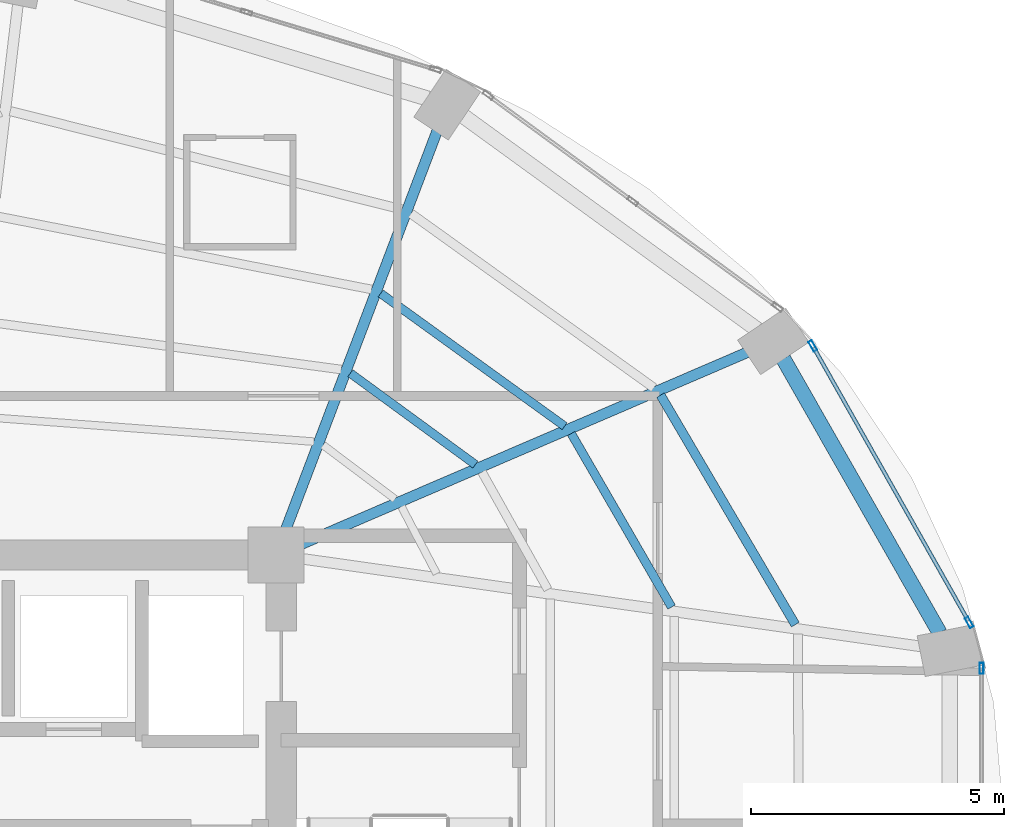
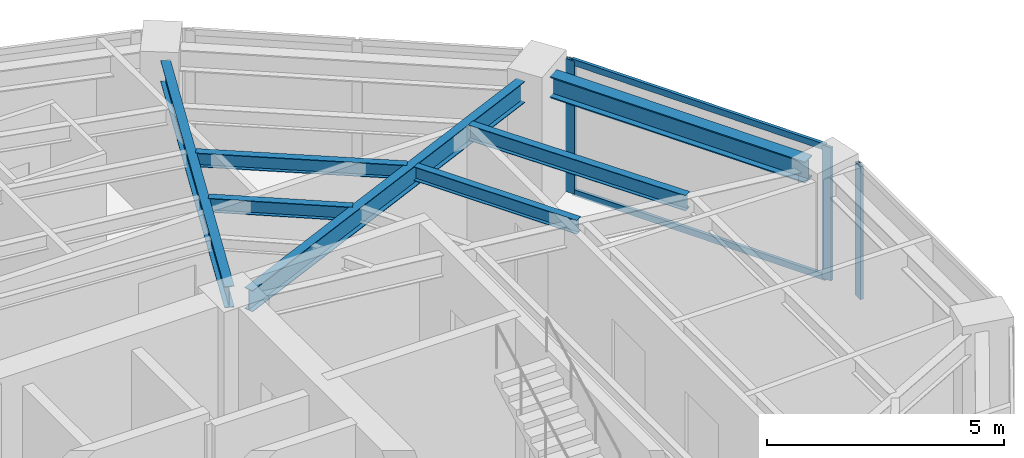
# One storey, part 11 of 20: 7 beams, 5 members, 2 elements without a shape of their own.
"""IFC4 building model written with IfcOpenShell, lengths in metres."""

from ifc_helpers import new_model, si_unit, direction, frame, origin, origin_2d, place, context, subcontext, project, spatial, hollow_rectangle, i_section, extrude, material, layer, layer_set, material_profile, profile_set, type_object, element, aggregate, save


model = new_model("IFC4")

# Units and contexts
model_context = context("Model", 3, precision=1e-05, world=origin(), true_north=direction((0.0, 1.0)))
body_context = subcontext(model_context, "Body", "Model", "MODEL_VIEW")
ifc_project = project(units=[si_unit("LENGTHUNIT", "METRE"), si_unit("AREAUNIT", "SQUARE_METRE"), si_unit("VOLUMEUNIT", "CUBIC_METRE"), si_unit("PLANEANGLEUNIT", "RADIAN"), si_unit("MASSUNIT", "GRAM", prefix="KILO")], contexts=[model_context])

# Site, building, storey
site_placement = place(None, origin())
site = spatial("IfcSite", under=ifc_project, at=site_placement, CompositionType="ELEMENT")
building_placement = place(site_placement, origin())
building = spatial("IfcBuilding", under=site, at=building_placement, Name="Lazwardi Medical Tower", CompositionType="ELEMENT")
storey_placement = place(building_placement, frame((0.0, 0.0, 138.2880859375)))
storey = spatial("IfcBuildingStorey", under=building, at=storey_placement, Name="L35", CompositionType="ELEMENT", Elevation=138.2880859375)

# Beams
ifc_material_1 = material(Name="Steel S355", Category="steel")
ifc_material_profile_1 = material_profile(ifc_material_1, i_section(OverallWidth=0.300048828125, OverallDepth=0.550048828125, WebThickness=0.014892578125, FlangeThickness=0.029052734375, at=origin_2d()), Name="HEB 550")
ifc_profile_set_1 = profile_set([ifc_material_profile_1], Name="Steel S355")
beam_type_1 = type_object("IfcBeamType", Name="BM-RB-Z3", PredefinedType="BEAM", material=ifc_profile_set_1)
beam_1_placement = place(storey_placement, frame((58.727783203125, 34.05908203125, 3.15283203125), z_axis=(-0.495460926326, 0.868630226554, 0.0), x_axis=(-0.868630226554, -0.495460926326, 0.0)))
element("IfcBeam", 1, at=beam_1_placement, inside=storey, type_object=beam_type_1, Name="Ring beam RB-04 B05 L35", PredefinedType="BEAM", context=body_context, shape_type="SweptSolid", body=[
    extrude(i_section(OverallWidth=0.300048828125, OverallDepth=0.550048828125, WebThickness=0.014892578125, FlangeThickness=0.029052734375, at=origin_2d()), origin(), (0.0, 0.0, 1.0), 6.24462890625),
])
ifc_material_profile_2 = material_profile(ifc_material_1, i_section(OverallWidth=0.2099609375, OverallDepth=0.550048828125, WebThickness=0.010986328125, FlangeThickness=0.01708984375, at=origin_2d()), Name="IPE 550")
ifc_profile_set_2 = profile_set([ifc_material_profile_2], Name="Steel S355")
beam_type_2 = type_object("IfcBeamType", Name="BM-RG-W2", PredefinedType="BEAM", material=ifc_profile_set_2)
beam_2_placement = place(storey_placement, frame((54.921142578125, 39.609619140625, 3.15283203125), z_axis=(-0.918608156288, -0.395169653695, 0.0), x_axis=(0.395169653695, -0.918608156288, 0.0)))
element("IfcBeam", 2, at=beam_2_placement, inside=storey, type_object=beam_type_2, Name="Radial girder RG-03 R06 L35", PredefinedType="BEAM", context=body_context, shape_type="SweptSolid", body=[
    extrude(i_section(OverallWidth=0.2099609375, OverallDepth=0.550048828125, WebThickness=0.010986328125, FlangeThickness=0.01708984375, at=origin_2d()), origin(), (0.0, 0.0, 1.0), 9.61181640625),
])
beam_3_placement = place(storey_placement, frame((48.78759765625, 43.99072265625, 3.15283203125), z_axis=(-0.355126771712, -0.934818151307, 0.0), x_axis=(0.934818151307, -0.355126771712, 0.0)))
element("IfcBeam", 3, at=beam_3_placement, inside=storey, type_object=beam_type_2, Name="Radial girder RG-03 R07 L35", PredefinedType="BEAM", context=body_context, shape_type="SweptSolid", body=[
    extrude(i_section(OverallWidth=0.2099609375, OverallDepth=0.550048828125, WebThickness=0.010986328125, FlangeThickness=0.01708984375, at=origin_2d()), origin(), (0.0, 0.0, 1.0), 8.44091796875),
])
ifc_material_profile_3 = material_profile(ifc_material_1, i_section(OverallWidth=0.179931640625, OverallDepth=0.39990234375, WebThickness=0.008544921875, FlangeThickness=0.013427734375, at=origin_2d()), Name="IPE 400")
ifc_profile_set_3 = profile_set([ifc_material_profile_3], Name="Steel S355")
beam_type_3 = type_object("IfcBeamType", Name="BM-SJ-01", PredefinedType="JOIST", material=ifc_profile_set_3)
beam_4_placement = place(storey_placement, frame((55.872314453125, 34.223388671875, 3.22802734375), z_axis=(-0.506420212881, 0.862286824662, 0.0), x_axis=(-0.862286824662, -0.506420212881, 0.0)))
element("IfcBeam", 4, at=beam_4_placement, inside=storey, type_object=beam_type_3, Name="Secondary joist SJ-01 R1 B05 L35", PredefinedType="JOIST", context=body_context, shape_type="SweptSolid", body=[
    extrude(i_section(OverallWidth=0.179931640625, OverallDepth=0.39990234375, WebThickness=0.008544921875, FlangeThickness=0.013427734375, at=origin_2d()), origin(), (0.0, 0.0, 1.0), 5.265380859375),
])
ifc_material_profile_4 = material_profile(ifc_material_1, i_section(OverallWidth=0.169921875, OverallDepth=0.360107421875, WebThickness=0.008056640625, FlangeThickness=0.0126953125, at=origin_2d()), Name="IPE 360")
ifc_profile_set_4 = profile_set([ifc_material_profile_4], Name="Steel S355")
beam_type_4 = type_object("IfcBeamType", Name="BM-SJ-02", PredefinedType="JOIST", material=ifc_profile_set_4)
beam_5_placement = place(storey_placement, frame((53.4248046875, 34.57080078125, 3.247802734375), z_axis=(-0.500640648605, 0.865655209055, 0.0), x_axis=(-0.865655209055, -0.500640648605, 0.0)))
element("IfcBeam", 5, at=beam_5_placement, inside=storey, type_object=beam_type_4, Name="Secondary joist SJ-02 R2 B05 L35", PredefinedType="JOIST", context=body_context, shape_type="SweptSolid", body=[
    extrude(i_section(OverallWidth=0.169921875, OverallDepth=0.360107421875, WebThickness=0.008056640625, FlangeThickness=0.0126953125, at=origin_2d()), origin(), (0.0, 0.0, 1.0), 3.965576171875),
])
beam_6_placement = place(storey_placement, frame((51.30810546875, 38.148681640625, 3.247802734375), z_axis=(-0.810738039179, 0.585409114917, 0.0), x_axis=(-0.585409114917, -0.810738039179, 0.0)))
element("IfcBeam", 6, at=beam_6_placement, inside=storey, type_object=beam_type_4, Name="Secondary joist SJ-02 R2 B06 L35", PredefinedType="JOIST", context=body_context, shape_type="SweptSolid", body=[
    extrude(i_section(OverallWidth=0.169921875, OverallDepth=0.360107421875, WebThickness=0.008056640625, FlangeThickness=0.0126953125, at=origin_2d()), origin(), (0.0, 0.0, 1.0), 4.48779296875),
])
beam_7_placement = place(storey_placement, frame((49.54248046875, 37.3896484375, 3.247802734375), z_axis=(-0.807285959008, 0.590160470033, 0.0), x_axis=(-0.590160470033, -0.807285959008, 0.0)))
element("IfcBeam", 7, at=beam_7_placement, inside=storey, type_object=beam_type_4, Name="Secondary joist SJ-02 R3 B06 L35", PredefinedType="JOIST", context=body_context, shape_type="SweptSolid", body=[
    extrude(i_section(OverallWidth=0.169921875, OverallDepth=0.360107421875, WebThickness=0.008056640625, FlangeThickness=0.0126953125, at=origin_2d()), origin(), (0.0, 0.0, 1.0), 3.06298828125),
])

# Curtain wall, member
ifc_material_2 = material(Name="Anodised bronze aluminium and solar control glazing", Category="aluminium")
ifc_layer = layer(ifc_material_2, 0.195068359375)
ifc_layer_set = layer_set([ifc_layer], Name="Anodised bronze aluminium and solar control glazing")
curtain_wall_type = type_object("IfcCurtainWallType", Name="CW-SYS-03", PredefinedType="NOTDEFINED", material=ifc_layer_set)
curtain_wall_1_placement = place(storey_placement, origin())
curtain_wall_1 = element("IfcCurtainWall", 8, at=curtain_wall_1_placement, inside=storey, type_object=curtain_wall_type, Name="L35 Unitised bronze curtain wall CW-03", PredefinedType="NOTDEFINED")
ifc_material_3 = material(Name="Anodised bronze aluminium", Category="aluminium")
ifc_material_profile_5 = material_profile(ifc_material_3, hollow_rectangle(XDim=0.074951171875, YDim=0.219970703125, WallThickness=0.00390625, at=origin_2d()), Name="ALU-MULLION 220x75x4")
ifc_profile_set_5 = profile_set([ifc_material_profile_5], Name="Anodised bronze aluminium")
member_type_1 = type_object("IfcMemberType", Name="CW-MUL-01", PredefinedType="MULLION", material=ifc_profile_set_5)
member_1_placement = place(storey_placement, frame((59.5576171875, 33.35791015625, 0.0), z_axis=(0.0, 0.0, 1.0), x_axis=(-1.0, 0.0, 0.0)))
member_1 = element("IfcMember", 9, at=member_1_placement, type_object=member_type_1, Name="CW-03 mullion 2", PredefinedType="MULLION", context=body_context, shape_type="SweptSolid", body=[
    extrude(hollow_rectangle(XDim=0.074951171875, YDim=0.219970703125, WallThickness=0.00390625, at=origin_2d()), origin(), (0.0, 0.0, 1.0), 3.427978515625),
])
aggregate(curtain_wall_1, [member_1])

# Curtain wall, members
curtain_wall_2_placement = place(storey_placement, origin())
curtain_wall_2 = element("IfcCurtainWall", 10, at=curtain_wall_2_placement, inside=storey, type_object=curtain_wall_type, Name="L35 Unitised bronze curtain wall CW-03", PredefinedType="NOTDEFINED")
member_2_placement = place(storey_placement, frame((59.31103515625, 34.267333984375, 0.0), z_axis=(0.0, 0.0, 1.0), x_axis=(-0.870418989303, -0.492311672683, 0.0)))
member_2 = element("IfcMember", 11, at=member_2_placement, type_object=member_type_1, Name="CW-03 mullion 1", PredefinedType="MULLION", context=body_context, shape_type="SweptSolid", body=[
    extrude(hollow_rectangle(XDim=0.074951171875, YDim=0.219970703125, WallThickness=0.00390625, at=origin_2d()), origin(), (0.0, 0.0, 1.0), 3.427978515625),
])
member_3_placement = place(storey_placement, frame((56.217529296875, 39.73681640625, 0.0), z_axis=(0.0, 0.0, 1.0), x_axis=(-0.870418989303, -0.492311672683, 0.0)))
member_3 = element("IfcMember", 12, at=member_3_placement, type_object=member_type_1, Name="CW-03 mullion 2", PredefinedType="MULLION", context=body_context, shape_type="SweptSolid", body=[
    extrude(hollow_rectangle(XDim=0.074951171875, YDim=0.219970703125, WallThickness=0.00390625, at=origin_2d()), origin(), (0.0, 0.0, 1.0), 3.427978515625),
])
ifc_material_profile_6 = material_profile(ifc_material_3, hollow_rectangle(XDim=0.074951171875, YDim=0.159912109375, WallThickness=0.00390625, at=origin_2d()), Name="ALU-TRANSOM 160x75x4")
ifc_profile_set_6 = profile_set([ifc_material_profile_6], Name="Anodised bronze aluminium")
member_type_2 = type_object("IfcMemberType", Name="CW-TRN-01", PredefinedType="USERDEFINED", material=ifc_profile_set_6)
member_4_placement = place(storey_placement, frame((59.292724609375, 34.2998046875, 0.037353515625), z_axis=(-0.492306010269, 0.870422191958, 0.0), x_axis=(-0.870422191958, -0.492306010269, 0.0)))
member_4 = element("IfcMember", 13, at=member_4_placement, type_object=member_type_2, Name="CW-03 transom 1.1", ObjectType="TRANSOM", PredefinedType="USERDEFINED", context=body_context, shape_type="SweptSolid", body=[
    extrude(hollow_rectangle(XDim=0.074951171875, YDim=0.159912109375, WallThickness=0.00390625, at=origin_2d()), origin(), (0.0, 0.0, 1.0), 6.208740234375),
])
member_5_placement = place(storey_placement, frame((59.292724609375, 34.2998046875, 3.390380859375), z_axis=(-0.492306010269, 0.870422191958, 0.0), x_axis=(-0.870422191958, -0.492306010269, 0.0)))
member_5 = element("IfcMember", 14, at=member_5_placement, type_object=member_type_2, Name="CW-03 transom 1.2", ObjectType="TRANSOM", PredefinedType="USERDEFINED", context=body_context, shape_type="SweptSolid", body=[
    extrude(hollow_rectangle(XDim=0.074951171875, YDim=0.159912109375, WallThickness=0.00390625, at=origin_2d()), origin(), (0.0, 0.0, 1.0), 6.208740234375),
])
aggregate(curtain_wall_2, [member_2, member_3, member_4, member_5])

save(model, "model.ifc")
